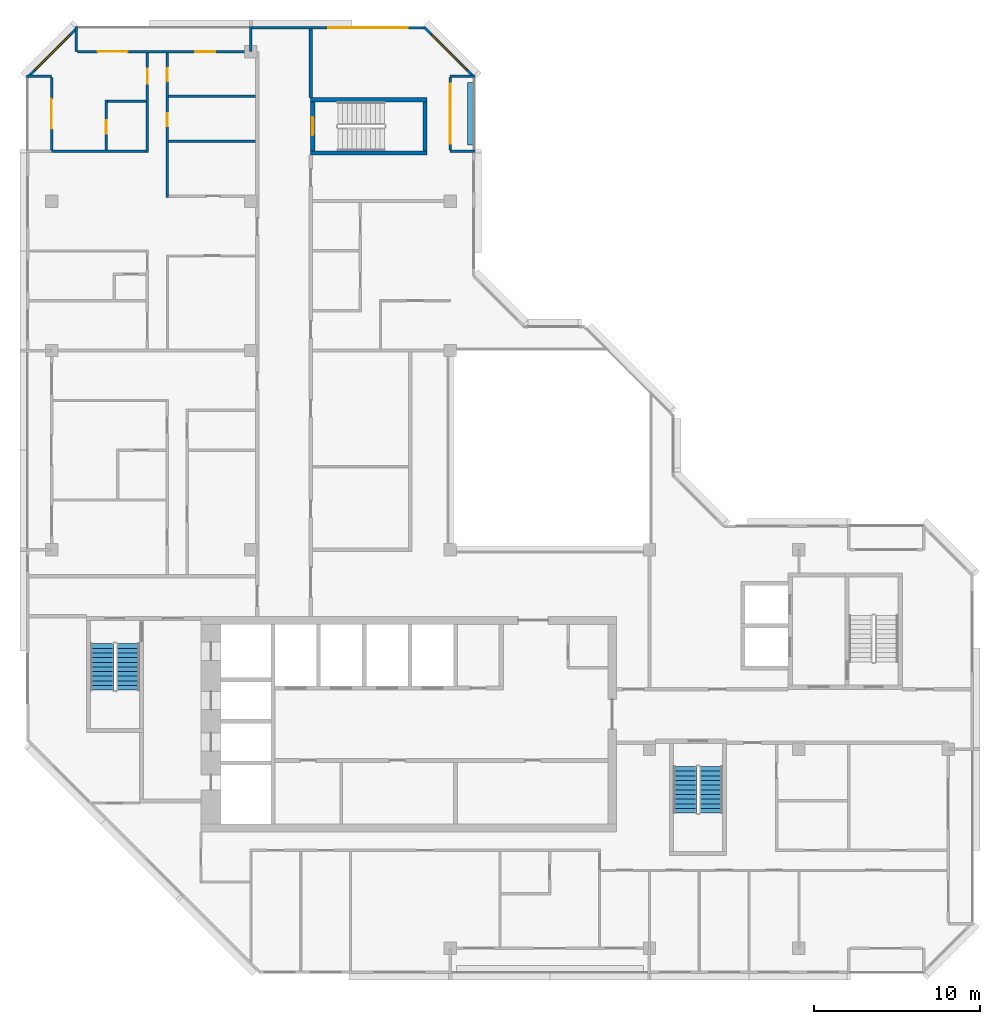
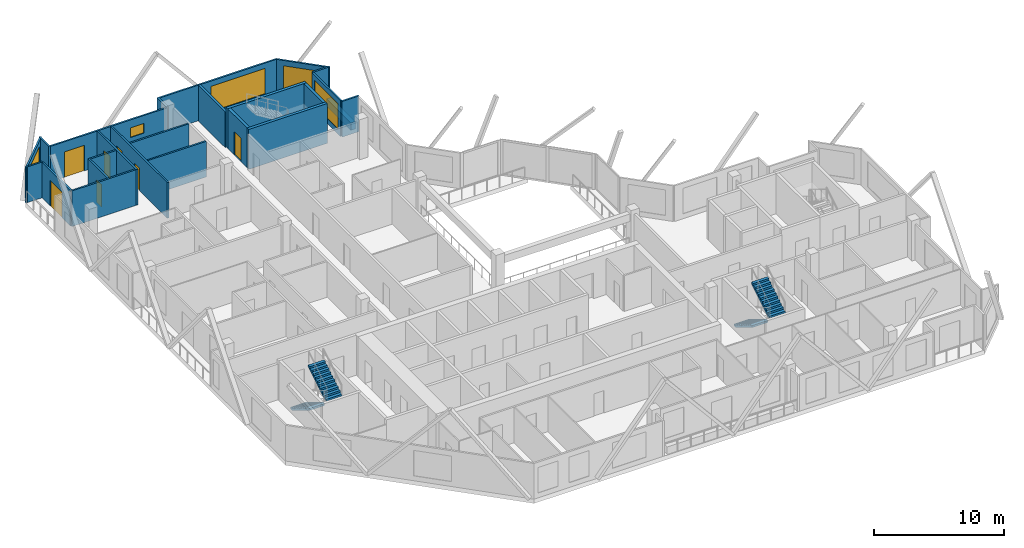
# One storey, part 9 of 12: 24 walls, 7 doors, 5 windows, 4 stair flights, 12 openings, 2 elements without a shape of their own.
"""IFC4 building model written with IfcOpenShell, lengths in metres."""

import ifcopenshell
import ifcopenshell.guid

model = None  # the IFC model being written
_history = None  # IfcOwnerHistory: only IFC2X3 demands one
_inside = {}  # id of a spatial element -> (the spatial element, [elements in it])
_under = {}  # id of a project, library or spatial element -> (it, [spatial elements below it])
_declared = {}  # id of a project -> (the project, [libraries it declares])
_typed = {}  # id of a type object -> (the type object, [elements of that type])
_made_of = {}  # id of a material, layer set ... -> (it, [elements and type objects made of it])


def new_model(schema):
    """Start an empty IFC model of exactly this schema.

    Asked for "IFC4X3", IfcOpenShell would pick the latest addendum, in which some entities
    have other attributes; the version numbers below select the first issue.
    IFC2X3 requires an IfcOwnerHistory on every rooted entity: one is made here for all.
    """
    global model, _history
    if schema == "IFC4X3":
        model = ifcopenshell.file(schema_version=(4, 3, 0, 0))
    else:
        model = ifcopenshell.file(schema=schema)
    _inside.clear()
    _under.clear()
    _declared.clear()
    _typed.clear()
    _made_of.clear()
    _history = None
    if model.schema == "IFC2X3":
        org = make("IfcOrganization", Name="unknown")
        user = make(
            "IfcPersonAndOrganization",
            ThePerson=make("IfcPerson", FamilyName="unknown"),
            TheOrganization=org,
        )
        app = make(
            "IfcApplication",
            ApplicationDeveloper=org,
            Version="unknown",
            ApplicationFullName="unknown",
            ApplicationIdentifier="unknown",
        )
        _history = make(
            "IfcOwnerHistory",
            OwningUser=user,
            OwningApplication=app,
            ChangeAction="ADDED",
            CreationDate=0,
        )
    return model


def make(cls, **values):
    """One entity of the class cls with the attributes given. An attribute that is None is left unset."""
    return model.create_entity(
        cls, **{name: value for name, value in values.items() if value is not None}
    )


def rooted(cls, **values):
    """An entity with a GlobalId (a new one), such as an element, a storey or a relation."""
    return make(cls, GlobalId=ifcopenshell.guid.new(), OwnerHistory=_history, **values)


def si_unit(unit_type, name, prefix=None):
    """IfcSIUnit, for example si_unit("LENGTHUNIT", "METRE", prefix="MILLI")."""
    return make("IfcSIUnit", UnitType=unit_type, Prefix=prefix, Name=name)


def assignment(units):
    """IfcUnitAssignment: the units of a project."""
    return None if units is None else make("IfcUnitAssignment", Units=units)


def point(xyz):
    """IfcCartesianPoint."""
    return None if xyz is None else make("IfcCartesianPoint", Coordinates=xyz)


def direction(xyz):
    """IfcDirection."""
    return None if xyz is None else make("IfcDirection", DirectionRatios=xyz)


def frame(location, z_axis=None, x_axis=None):
    """IfcAxis2Placement3D, a coordinate frame: its origin and axes. An axis left out is left unset."""
    return make(
        "IfcAxis2Placement3D",
        Location=point(location),
        Axis=direction(z_axis),
        RefDirection=direction(x_axis),
    )


def frame_2d(location, x_axis=None):
    """IfcAxis2Placement2D, a coordinate frame in the plane: its origin and x axis."""
    return make(
        "IfcAxis2Placement2D", Location=point(location), RefDirection=direction(x_axis)
    )


def origin():
    """The frame at (0, 0, 0) with its axes left unset."""
    return frame((0.0, 0.0, 0.0))


def place(relative_to, where):
    """IfcLocalPlacement: puts the frame where relative to a parent placement (None: the world)."""
    return make(
        "IfcLocalPlacement", PlacementRelTo=relative_to, RelativePlacement=where
    )


def context(
    kind, dimensions, precision=None, world=None, true_north=None, identifier=None
):
    """IfcGeometricRepresentationContext, for example the 3D "Model" context."""
    return make(
        "IfcGeometricRepresentationContext",
        ContextIdentifier=identifier,
        ContextType=kind,
        CoordinateSpaceDimension=dimensions,
        Precision=precision,
        WorldCoordinateSystem=world,
        TrueNorth=true_north,
    )


def subcontext(parent, identifier, kind, view, scale=None):
    """IfcGeometricRepresentationSubContext, for example "Body" below "Model"."""
    return make(
        "IfcGeometricRepresentationSubContext",
        ContextIdentifier=identifier,
        ContextType=kind,
        ParentContext=parent,
        TargetScale=scale,
        TargetView=view,
    )


def project(units=None, contexts=None):
    """IfcProject with its units and contexts."""
    return rooted(
        "IfcProject",
        Name="project",
        RepresentationContexts=contexts,
        UnitsInContext=assignment(units),
    )


def spatial(cls, under=None, at=None, **own):
    """A site, building, storey or space (cls), placed at a placement, below another one or the project."""
    s = rooted(cls, ObjectPlacement=at, **own)
    if under is not None:
        _under.setdefault(under.id(), (under, []))[1].append(s)
    return s


def polyline(points):
    """IfcPolyline through the points."""
    return make("IfcPolyline", Points=[point(p) for p in points])


def profile(cls, at=None, kind="AREA", **sizes):
    """A parametric profile (cls). Its sizes go by their IFC names, for example OverallWidth=200.0."""
    return make(cls, ProfileType=kind, Position=at, **sizes)


def rectangle(**sizes):
    """IfcRectangleProfileDef."""
    return profile("IfcRectangleProfileDef", **sizes)


def outline(outer, holes=None, kind="AREA"):
    """IfcArbitraryClosedProfileDef: a profile drawn as a closed curve; with holes, ...WithVoids."""
    if holes is None:
        return make("IfcArbitraryClosedProfileDef", ProfileType=kind, OuterCurve=outer)
    return make(
        "IfcArbitraryProfileDefWithVoids",
        ProfileType=kind,
        OuterCurve=outer,
        InnerCurves=holes,
    )


def extrude(swept, where, along, depth):
    """IfcExtrudedAreaSolid: the profile swept, set in the frame where, extruded along a direction by depth."""
    return make(
        "IfcExtrudedAreaSolid",
        SweptArea=swept,
        Position=where,
        ExtrudedDirection=direction(along),
        Depth=depth,
    )


def shape(context_of_items, identifier, shape_type, items):
    """IfcShapeRepresentation: the items that make up one representation, for example the "Body"."""
    return make(
        "IfcShapeRepresentation",
        ContextOfItems=context_of_items,
        RepresentationIdentifier=identifier,
        RepresentationType=shape_type,
        Items=items,
    )


def material(Name=None, Category=None):
    """IfcMaterial."""
    return make("IfcMaterial", Name=Name, Category=Category)


def layer(
    of_material, thickness, ventilated=None, Name=None, Category=None, Priority=None
):
    """IfcMaterialLayer: one layer of a wall or slab, of a material (None: an air gap)."""
    return make(
        "IfcMaterialLayer",
        Material=of_material,
        LayerThickness=thickness,
        IsVentilated=ventilated,
        Name=Name,
        Category=Category,
        Priority=Priority,
    )


def layer_set(layers, Name=None):
    """IfcMaterialLayerSet."""
    return make("IfcMaterialLayerSet", MaterialLayers=layers, LayerSetName=Name)


def made_of(thing, what):
    """Note that an element or type object is made of a material, layer set ...; save() writes the relation."""
    if what is not None:
        _made_of.setdefault(what.id(), (what, []))[1].append(thing)
    return thing


def type_object(cls, material=None, **own):
    """A type object (cls), such as IfcWallType, which elements share."""
    return made_of(rooted(cls, **own), material)


def element(
    cls,
    number,
    at=None,
    inside=None,
    cuts=None,
    type_object=None,
    material=None,
    context=None,
    identifier="Body",
    shape_type=None,
    held_by="IfcProductDefinitionShape",
    body=None,
    shapes=None,
    **own,
):
    """One element of the class cls, such as IfcWall. Its Tag is "e" and its number.

    at: its placement. inside: the storey or other place that contains it. cuts: it is an
    opening in that element (IfcRelVoidsElement). A single representation is given by context,
    identifier, shape_type and body (its items); several are given by shapes. held_by: the class
    of the entity that holds the representations. save() writes the other relations.
    """
    e = rooted(cls, Tag="e%d" % number, ObjectPlacement=at, **own)
    if body is not None:
        shapes = [shape(context, identifier, shape_type, body)]
    if shapes is not None:
        e.Representation = make(held_by, Representations=shapes)
    if inside is not None:
        _inside.setdefault(inside.id(), (inside, []))[1].append(e)
    if cuts is not None:
        rooted(
            "IfcRelVoidsElement", RelatingBuildingElement=cuts, RelatedOpeningElement=e
        )
    if type_object is not None:
        _typed.setdefault(type_object.id(), (type_object, []))[1].append(e)
    return made_of(e, material)


def fill(opening, filler):
    """IfcRelFillsElement: the door or window that sits in an opening."""
    return rooted(
        "IfcRelFillsElement",
        RelatingOpeningElement=opening,
        RelatedBuildingElement=filler,
    )


def aggregate(whole, parts):
    """IfcRelAggregates: a whole, such as a stair, and the parts it consists of."""
    return rooted("IfcRelAggregates", RelatingObject=whole, RelatedObjects=parts)


def save(model, path):
    """Write the relations noted so far, then the file.

    IfcRelAggregates (storeys below a building ...), IfcRelContainedInSpatialStructure (elements
    in a storey), IfcRelDefinesByType, IfcRelAssociatesMaterial and IfcRelDeclares: one each for
    every whole, place, type object, material and project.
    """
    for whole, parts in _under.values():
        aggregate(whole, parts)
    for where, things in _inside.values():
        rooted(
            "IfcRelContainedInSpatialStructure",
            RelatedElements=things,
            RelatingStructure=where,
        )
    for kind, things in _typed.values():
        rooted("IfcRelDefinesByType", RelatedObjects=things, RelatingType=kind)
    for what, things in _made_of.values():
        rooted("IfcRelAssociatesMaterial", RelatedObjects=things, RelatingMaterial=what)
    for by, libraries in _declared.values():
        rooted("IfcRelDeclares", RelatingContext=by, RelatedDefinitions=libraries)
    model.write(path)


model = new_model("IFC4")

# Units and contexts
model_context = context("Model", 3, precision=1e-05, world=origin(), true_north=direction((0.0, 1.0)))
body_context = subcontext(model_context, "Body", "Model", "MODEL_VIEW")
ifc_project = project(units=[si_unit("LENGTHUNIT", "METRE"), si_unit("AREAUNIT", "SQUARE_METRE"), si_unit("VOLUMEUNIT", "CUBIC_METRE"), si_unit("PLANEANGLEUNIT", "RADIAN"), si_unit("MASSUNIT", "GRAM", prefix="KILO")], contexts=[model_context])

# Site, building, storey
site_placement = place(None, origin())
site = spatial("IfcSite", under=ifc_project, at=site_placement, CompositionType="ELEMENT")
building_placement = place(site_placement, origin())
building = spatial("IfcBuilding", under=site, at=building_placement, Name="Chenar Terraces", CompositionType="ELEMENT")
storey_placement = place(building_placement, frame((0.0, 0.0, 353.89990234375)))
storey = spatial("IfcBuildingStorey", under=building, at=storey_placement, Name="L82", CompositionType="ELEMENT", Elevation=353.89990234375)

# Walls
ifc_material_1 = material(Name="Concrete C50/60", Category="concrete")
ifc_layer_1 = layer(ifc_material_1, 0.25)
ifc_layer_set_1 = layer_set([ifc_layer_1], Name="Concrete C50/60")
wall_type_1 = type_object("IfcWallType", Name="Core wall 250 Concrete C50/60", PredefinedType="SHEAR", material=ifc_layer_set_1)
for number, where, z_axis, x_axis, name in (
    (1, (15.60009765625, 47.89990234375, 0.0), (0.0, 0.0, 1.0), (1.0, 0.0, 0.0), "Core wall ST4_S L82"),
    (2, (15.60009765625, 51.10009765625, 0.0), (0.0, 0.0, 1.0), (1.0, 0.0, 0.0), "Core wall ST4_N L82"),
):
    element("IfcWall", number, at=place(storey_placement, frame(where, z_axis=z_axis, x_axis=x_axis)), inside=storey, type_object=wall_type_1, Name=name, PredefinedType="SHEAR", context=body_context, shape_type="SweptSolid", body=[
        extrude(rectangle(XDim=7.0, YDim=0.25, at=frame_2d((3.5, 0.0))), origin(), (0.0, 0.0, 1.0), 3.75),
    ])

# Wall, opening, door
wall_1_placement = place(storey_placement, frame((15.72509765625, 48.02490234375, 0.0), z_axis=(0.0, 0.0, 1.0), x_axis=(0.0, 1.0, 0.0)))
wall_1 = element("IfcWall", 3, at=wall_1_placement, inside=storey, type_object=wall_type_1, Name="Core wall ST4_W L82", PredefinedType="SHEAR", context=body_context, shape_type="SweptSolid", body=[
    extrude(rectangle(XDim=2.9501953125, YDim=0.25, at=frame_2d((1.47509765625, 0.0))), origin(), (0.0, 0.0, 1.0), 3.75),
])
opening_1_placement = place(wall_1_placement, frame((0.925048828125, 0.0, 0.0)))
opening_1 = element("IfcOpeningElement", 4, at=opening_1_placement, cuts=wall_1, Name="Opening DL82-C9", PredefinedType="OPENING", context=body_context, shape_type="SweptSolid", body=[
    extrude(rectangle(XDim=1.10009765625, YDim=2.199951171875, at=frame_2d((0.550048828125, 1.10009765625))), frame((0.0, 0.135009765625, 0.0), z_axis=(0.0, -1.0, 0.0), x_axis=(1.0, 0.0, 0.0)), (0.0, 0.0, 1.0), 0.27001953125),
])
ifc_material_2 = material(Name="Steel-framed fire-resisting door leaf", Category="steel")
door_type_1 = type_object("IfcDoorType", Name="Stair fire door FD60 1100 x 2200", OperationType="SINGLE_SWING_LEFT", PredefinedType="DOOR", material=ifc_material_2)
door_1_placement = place(opening_1_placement, frame((1.10009765625, 0.0, 0.0), z_axis=(0.0, 0.0, 1.0), x_axis=(-1.0, 0.0, 0.0)))
door_1 = element("IfcDoor", 5, at=door_1_placement, inside=storey, type_object=door_type_1, Name="Stair door DL82-C9", OperationType="SINGLE_SWING_RIGHT", OverallHeight=2.199951171875, OverallWidth=1.10009765625, PredefinedType="DOOR", context=body_context, shape_type="SweptSolid", body=[
    extrude(rectangle(XDim=1.10009765625, YDim=2.199951171875, at=frame_2d((0.550048828125, 1.10009765625))), frame((0.0, 0.02490234375, 0.0), z_axis=(0.0, -1.0, 0.0), x_axis=(1.0, 0.0, 0.0)), (0.0, 0.0, 1.0), 0.050048828125),
])
fill(opening_1, door_1)

# Walls
wall_2_placement = place(storey_placement, frame((22.47509765625, 48.02490234375, 0.0), z_axis=(0.0, 0.0, 1.0), x_axis=(0.0, 1.0, 0.0)))
element("IfcWall", 6, at=wall_2_placement, inside=storey, type_object=wall_type_1, Name="Core wall ST4_E L82", PredefinedType="SHEAR", context=body_context, shape_type="SweptSolid", body=[
    extrude(rectangle(XDim=2.9501953125, YDim=0.25, at=frame_2d((1.47509765625, 0.0))), origin(), (0.0, 0.0, 1.0), 3.75),
])
ifc_material_3 = material(Name="Gypsum board on steel studs with fire boards", Category="steel")
ifc_layer_2 = layer(ifc_material_3, 0.199951171875)
ifc_layer_set_2 = layer_set([ifc_layer_2], Name="Gypsum board on steel studs with fire boards")
wall_type_2 = type_object("IfcWallType", Name="Corridor wall 200", PredefinedType="PARTITIONING", material=ifc_layer_set_2)
wall_3_placement = place(storey_placement, frame((15.60009765625, 51.22509765625, 0.0), z_axis=(0.0, 0.0, 1.0), x_axis=(0.0, 1.0, 0.0)))
element("IfcWall", 7, at=wall_3_placement, inside=storey, type_object=wall_type_2, Name="Partition L82-035", PredefinedType="PARTITIONING", context=body_context, shape_type="SweptSolid", body=[
    extrude(rectangle(XDim=4.125, YDim=0.199951171875, at=frame_2d((2.0625, 0.0))), origin(), (0.0, 0.0, 1.0), 3.35009765625),
])

# Wall, opening, window
ifc_material_4 = material(Name="Aluminium framed glazing", Category="aluminium")
ifc_layer_3 = layer(ifc_material_4, 0.14990234375)
ifc_layer_set_3 = layer_set([ifc_layer_3], Name="Aluminium framed glazing")
wall_type_3 = type_object("IfcWallType", Name="Glazed flush facade wall 150", PredefinedType="SOLIDWALL", material=ifc_layer_set_3)
wall_4_placement = place(storey_placement, frame((22.5, 55.425048828125, 0.0), z_axis=(0.0, 0.0, 1.0), x_axis=(-1.0, 0.0, 0.0)))
wall_4 = element("IfcWall", 8, at=wall_4_placement, inside=storey, type_object=wall_type_3, Name="Glazed flush facade wall", PredefinedType="SOLIDWALL", context=body_context, shape_type="SweptSolid", body=[
    extrude(rectangle(XDim=10.425048828125, YDim=0.14990234375, at=frame_2d((5.21240234375, 0.0))), origin(), (0.0, 0.0, 1.0), 3.35009765625),
])
opening_2_placement = place(wall_4_placement, frame((1.050048828125, 0.0, 0.449951171875)))
opening_2 = element("IfcOpeningElement", 9, at=opening_2_placement, cuts=wall_4, Name="Opening W480x240", PredefinedType="OPENING", context=body_context, shape_type="SweptSolid", body=[
    extrude(rectangle(XDim=4.800048828125, YDim=2.39990234375, at=frame_2d((2.39990234375, 1.199951171875))), frame((0.0, 0.0849609375, 0.0), z_axis=(0.0, -1.0, 0.0), x_axis=(1.0, 0.0, 0.0)), (0.0, 0.0, 1.0), 0.169921875),
])
ifc_material_5 = material(Name="Low emissivity double glazing, aluminium frame", Category="aluminium")
window_type_1 = type_object("IfcWindowType", Name="Fixed light 4800 x 2400", PartitioningType="SINGLE_PANEL", PredefinedType="WINDOW", material=ifc_material_5)
window_1_placement = place(opening_2_placement, origin())
window_1 = element("IfcWindow", 10, at=window_1_placement, inside=storey, type_object=window_type_1, Name="Window", OverallHeight=2.39990234375, OverallWidth=4.800048828125, PartitioningType="SINGLE_PANEL", PredefinedType="WINDOW", context=body_context, shape_type="SweptSolid", body=[
    extrude(rectangle(XDim=4.800048828125, YDim=2.39990234375, at=frame_2d((2.39990234375, 1.199951171875))), frame((0.0, 0.030029296875, 0.0), z_axis=(0.0, -1.0, 0.0), x_axis=(1.0, 0.0, 0.0)), (0.0, 0.0, 1.0), 0.06005859375),
])
fill(opening_2, window_1)

ifc_material_6 = material(Name="Aluminium framed glazing", Category="aluminium")
ifc_layer_4 = layer(ifc_material_6, 0.14990234375)
ifc_layer_set_4 = layer_set([ifc_layer_4], Name="Aluminium framed glazing")
wall_type_4 = type_object("IfcWallType", Name="Glazed loggia back wall 150", PredefinedType="SOLIDWALL", material=ifc_layer_set_4)
wall_5_placement = place(storey_placement, frame((24.0, 48.074951171875, 0.0), z_axis=(0.0, 0.0, 1.0), x_axis=(0.0, 1.0, 0.0)))
wall_5 = element("IfcWall", 11, at=wall_5_placement, inside=storey, type_object=wall_type_4, Name="Glazed loggia back wall", PredefinedType="SOLIDWALL", context=body_context, shape_type="SweptSolid", body=[
    extrude(rectangle(XDim=4.35009765625, YDim=0.14990234375, at=frame_2d((2.175048828125, 0.0))), origin(), (0.0, 0.0, 1.0), 3.35009765625),
])
opening_3_placement = place(wall_5_placement, frame((0.375, 0.0, 0.449951171875)))
opening_3 = element("IfcOpeningElement", 12, at=opening_3_placement, cuts=wall_5, Name="Opening W360x240", PredefinedType="OPENING", context=body_context, shape_type="SweptSolid", body=[
    extrude(rectangle(XDim=3.60009765625, YDim=2.39990234375, at=frame_2d((1.800048828125, 1.199951171875))), frame((0.0, 0.0849609375, 0.0), z_axis=(0.0, -1.0, 0.0), x_axis=(1.0, 0.0, 0.0)), (0.0, 0.0, 1.0), 0.169921875),
])
ifc_material_7 = material(Name="Low emissivity double glazing, aluminium frame", Category="aluminium")
window_type_2 = type_object("IfcWindowType", Name="Fixed light 3600 x 2400", PartitioningType="SINGLE_PANEL", PredefinedType="WINDOW", material=ifc_material_7)
window_2_placement = place(opening_3_placement, origin())
window_2 = element("IfcWindow", 13, at=window_2_placement, inside=storey, type_object=window_type_2, Name="Window", OverallHeight=2.39990234375, OverallWidth=3.60009765625, PartitioningType="SINGLE_PANEL", PredefinedType="WINDOW", context=body_context, shape_type="SweptSolid", body=[
    extrude(rectangle(XDim=3.60009765625, YDim=2.39990234375, at=frame_2d((1.800048828125, 1.199951171875))), frame((0.0, 0.030029296875, 0.0), z_axis=(0.0, -1.0, 0.0), x_axis=(1.0, 0.0, 0.0)), (0.0, 0.0, 1.0), 0.06005859375),
])
fill(opening_3, window_2)

# Wall, openings, window, door
wall_6_placement = place(storey_placement, frame((11.925048828125, 54.0, 0.0), z_axis=(0.0, 0.0, 1.0), x_axis=(-1.0, 0.0, 0.0)))
wall_6 = element("IfcWall", 14, at=wall_6_placement, inside=storey, type_object=wall_type_4, Name="Glazed loggia back wall", PredefinedType="SOLIDWALL", context=body_context, shape_type="SweptSolid", body=[
    extrude(rectangle(XDim=10.35009765625, YDim=0.14990234375, at=frame_2d((5.175048828125, 0.0))), origin(), (0.0, 0.0, 1.0), 3.35009765625),
])
opening_4_placement = place(wall_6_placement, frame((2.074951171875, 0.0, 1.699951171875)))
opening_4 = element("IfcOpeningElement", 15, at=opening_4_placement, cuts=wall_6, Name="Opening W120x90", PredefinedType="OPENING", context=body_context, shape_type="SweptSolid", body=[
    extrude(rectangle(XDim=1.199951171875, YDim=0.89990234375, at=frame_2d((0.60009765625, 0.449951171875))), frame((0.0, 0.0849609375, 0.0), z_axis=(0.0, -1.0, 0.0), x_axis=(1.0, 0.0, 0.0)), (0.0, 0.0, 1.0), 0.169921875),
])
opening_5_placement = place(wall_6_placement, frame((7.35009765625, 0.0, 0.0)))
opening_5 = element("IfcOpeningElement", 16, at=opening_5_placement, cuts=wall_6, Name="Opening DL82-G1", PredefinedType="OPENING", context=body_context, shape_type="SweptSolid", body=[
    extrude(rectangle(XDim=1.800048828125, YDim=2.39990234375, at=frame_2d((0.89990234375, 1.199951171875))), frame((0.0, 0.0849609375, 0.0), z_axis=(0.0, -1.0, 0.0), x_axis=(1.0, 0.0, 0.0)), (0.0, 0.0, 1.0), 0.169921875),
])
ifc_material_8 = material(Name="Low emissivity double glazing, aluminium frame", Category="aluminium")
window_type_3 = type_object("IfcWindowType", Name="Fixed light 1200 x 900", PartitioningType="SINGLE_PANEL", PredefinedType="WINDOW", material=ifc_material_8)
window_3_placement = place(opening_4_placement, origin())
window_3 = element("IfcWindow", 17, at=window_3_placement, inside=storey, type_object=window_type_3, Name="Window", OverallHeight=0.89990234375, OverallWidth=1.199951171875, PartitioningType="SINGLE_PANEL", PredefinedType="WINDOW", context=body_context, shape_type="SweptSolid", body=[
    extrude(rectangle(XDim=1.199951171875, YDim=0.89990234375, at=frame_2d((0.60009765625, 0.449951171875))), frame((0.0, 0.030029296875, 0.0), z_axis=(0.0, -1.0, 0.0), x_axis=(1.0, 0.0, 0.0)), (0.0, 0.0, 1.0), 0.06005859375),
])
fill(opening_4, window_3)
ifc_material_9 = material(Name="Low emissivity double glazing, aluminium frame", Category="aluminium")
door_type_2 = type_object("IfcDoorType", Name="Loggia glazed double door 1800 x 2400", OperationType="DOUBLE_DOOR_SINGLE_SWING", PredefinedType="DOOR", material=ifc_material_9)
door_2_placement = place(opening_5_placement, frame((1.800048828125, 0.0, 0.0), z_axis=(0.0, 0.0, 1.0), x_axis=(-1.0, 0.0, 0.0)))
door_2 = element("IfcDoor", 18, at=door_2_placement, inside=storey, type_object=door_type_2, Name="Loggia glazed door", OperationType="DOUBLE_DOOR_SINGLE_SWING", OverallHeight=2.39990234375, OverallWidth=1.800048828125, PredefinedType="DOOR", context=body_context, shape_type="SweptSolid", body=[
    extrude(rectangle(XDim=1.800048828125, YDim=2.39990234375, at=frame_2d((0.89990234375, 1.199951171875))), frame((0.0, 0.02490234375, 0.0), z_axis=(0.0, -1.0, 0.0), x_axis=(1.0, 0.0, 0.0)), (0.0, 0.0, 1.0), 0.050048828125),
])
fill(opening_5, door_2)

# Wall, opening, door
wall_7_placement = place(storey_placement, frame((0.0, 52.425048828125, 0.0), z_axis=(0.0, 0.0, 1.0), x_axis=(0.0, -1.0, 0.0)))
wall_7 = element("IfcWall", 19, at=wall_7_placement, inside=storey, type_object=wall_type_4, Name="Glazed loggia back wall", PredefinedType="SOLIDWALL", context=body_context, shape_type="SweptSolid", body=[
    extrude(rectangle(XDim=4.35009765625, YDim=0.14990234375, at=frame_2d((2.175048828125, 0.0))), origin(), (0.0, 0.0, 1.0), 3.35009765625),
])
opening_6_placement = place(wall_7_placement, frame((1.27490234375, 0.0, 0.0)))
opening_6 = element("IfcOpeningElement", 20, at=opening_6_placement, cuts=wall_7, Name="Opening DL82-G2", PredefinedType="OPENING", context=body_context, shape_type="SweptSolid", body=[
    extrude(rectangle(XDim=1.800048828125, YDim=2.39990234375, at=frame_2d((0.89990234375, 1.199951171875))), frame((0.0, 0.0849609375, 0.0), z_axis=(0.0, -1.0, 0.0), x_axis=(1.0, 0.0, 0.0)), (0.0, 0.0, 1.0), 0.169921875),
])
door_3_placement = place(opening_6_placement, frame((1.800048828125, 0.0, 0.0), z_axis=(0.0, 0.0, 1.0), x_axis=(-1.0, 0.0, 0.0)))
door_3 = element("IfcDoor", 21, at=door_3_placement, inside=storey, type_object=door_type_2, Name="Loggia glazed door", OperationType="DOUBLE_DOOR_SINGLE_SWING", OverallHeight=2.39990234375, OverallWidth=1.800048828125, PredefinedType="DOOR", context=body_context, shape_type="SweptSolid", body=[
    extrude(rectangle(XDim=1.800048828125, YDim=2.39990234375, at=frame_2d((0.89990234375, 1.199951171875))), frame((0.0, 0.02490234375, 0.0), z_axis=(0.0, -1.0, 0.0), x_axis=(1.0, 0.0, 0.0)), (0.0, 0.0, 1.0), 0.050048828125),
])
fill(opening_6, door_3)

# Walls
ifc_material_10 = material(Name="Terracotta cladding on insulated backing", Category="masonry")
ifc_layer_5 = layer(ifc_material_10, 0.14990234375)
ifc_layer_set_5 = layer_set([ifc_layer_5], Name="Terracotta cladding on insulated backing")
wall_type_5 = type_object("IfcWallType", Name="Loggia return wall 150", PredefinedType="SOLIDWALL", material=ifc_layer_set_5)
for number, where, z_axis, x_axis, name in (
    (22, (25.5, 48.0, 0.0), (0.0, 0.0, 1.0), (-1.0, 0.0, 0.0), "Loggia return wall"),
    (23, (25.5, 52.5, 0.0), (0.0, 0.0, 1.0), (-1.0, 0.0, 0.0), "Loggia return wall"),
    (24, (12.0, 55.5, 0.0), (0.0, 0.0, 1.0), (0.0, -1.0, 0.0), "Loggia return wall"),
    (25, (1.5, 55.5, 0.0), (0.0, 0.0, 1.0), (0.0, -1.0, 0.0), "Loggia return wall"),
    (26, (-1.5, 52.5, 0.0), (0.0, 0.0, 1.0), (1.0, 0.0, 0.0), "Loggia return wall"),
):
    element("IfcWall", number, at=place(storey_placement, frame(where, z_axis=z_axis, x_axis=x_axis)), inside=storey, type_object=wall_type_5, Name=name, PredefinedType="SOLIDWALL", context=body_context, shape_type="SweptSolid", body=[
        extrude(rectangle(XDim=1.5, YDim=0.14990234375, at=frame_2d((0.75, 0.0))), origin(), (0.0, 0.0, 1.0), 3.35009765625),
    ])

# Wall, opening, window
ifc_material_11 = material(Name="Terracotta cladding on insulated backing", Category="masonry")
ifc_layer_6 = layer(ifc_material_11, 0.14990234375)
ifc_layer_set_6 = layer_set([ifc_layer_6], Name="Terracotta cladding on insulated backing")
wall_type_6 = type_object("IfcWallType", Name="Terracotta rainscreen wall 150", PredefinedType="SOLIDWALL", material=ifc_layer_set_6)
wall_8_placement = place(storey_placement, frame((25.447021484375, 52.447021484375, 0.0), z_axis=(0.0, 0.0, 1.0), x_axis=(-0.707106781187, 0.707106781187, 0.0)))
wall_8 = element("IfcWall", 27, at=wall_8_placement, inside=storey, type_object=wall_type_6, Name="Terracotta rainscreen wall", PredefinedType="SOLIDWALL", context=body_context, shape_type="SweptSolid", body=[
    extrude(rectangle(XDim=4.24267578125, YDim=0.14990234375, at=frame_2d((2.121337890625, 0.0))), origin(), (0.0, 0.0, 1.0), 3.35009765625),
])
opening_7_placement = place(wall_8_placement, frame((0.621337890625, 0.0, 0.449951171875)))
opening_7 = element("IfcOpeningElement", 28, at=opening_7_placement, cuts=wall_8, Name="Opening W300x240", PredefinedType="OPENING", context=body_context, shape_type="SweptSolid", body=[
    extrude(rectangle(XDim=3.0, YDim=2.39990234375, at=frame_2d((1.5, 1.199951171875))), frame((0.0, 0.0849609375, 0.0), z_axis=(0.0, -1.0, 0.0), x_axis=(1.0, 0.0, 0.0)), (0.0, 0.0, 1.0), 0.169921875),
])
ifc_material_12 = material(Name="Low emissivity double glazing, aluminium frame", Category="aluminium")
window_type_4 = type_object("IfcWindowType", Name="Fixed light 3000 x 2400", PartitioningType="SINGLE_PANEL", PredefinedType="WINDOW", material=ifc_material_12)
window_4_placement = place(opening_7_placement, origin())
window_4 = element("IfcWindow", 29, at=window_4_placement, inside=storey, type_object=window_type_4, Name="Window", OverallHeight=2.39990234375, OverallWidth=3.0, PartitioningType="SINGLE_PANEL", PredefinedType="WINDOW", context=body_context, shape_type="SweptSolid", body=[
    extrude(rectangle(XDim=3.0, YDim=2.39990234375, at=frame_2d((1.5, 1.199951171875))), frame((0.0, 0.030029296875, 0.0), z_axis=(0.0, -1.0, 0.0), x_axis=(1.0, 0.0, 0.0)), (0.0, 0.0, 1.0), 0.06005859375),
])
fill(opening_7, window_4)

wall_9_placement = place(storey_placement, frame((1.552978515625, 55.447021484375, 0.0), z_axis=(0.0, 0.0, 1.0), x_axis=(-0.707106781187, -0.707106781187, 0.0)))
wall_9 = element("IfcWall", 30, at=wall_9_placement, inside=storey, type_object=wall_type_6, Name="Terracotta rainscreen wall", PredefinedType="SOLIDWALL", context=body_context, shape_type="SweptSolid", body=[
    extrude(rectangle(XDim=4.24267578125, YDim=0.14990234375, at=frame_2d((2.121337890625, 0.0))), origin(), (0.0, 0.0, 1.0), 3.35009765625),
])
opening_8_placement = place(wall_9_placement, frame((0.621337890625, 0.0, 0.449951171875)))
opening_8 = element("IfcOpeningElement", 31, at=opening_8_placement, cuts=wall_9, Name="Opening W300x240", PredefinedType="OPENING", context=body_context, shape_type="SweptSolid", body=[
    extrude(rectangle(XDim=3.0, YDim=2.39990234375, at=frame_2d((1.5, 1.199951171875))), frame((0.0, 0.0849609375, 0.0), z_axis=(0.0, -1.0, 0.0), x_axis=(1.0, 0.0, 0.0)), (0.0, 0.0, 1.0), 0.169921875),
])
window_5_placement = place(opening_8_placement, origin())
window_5 = element("IfcWindow", 32, at=window_5_placement, inside=storey, type_object=window_type_4, Name="Window", OverallHeight=2.39990234375, OverallWidth=3.0, PartitioningType="SINGLE_PANEL", PredefinedType="WINDOW", context=body_context, shape_type="SweptSolid", body=[
    extrude(rectangle(XDim=3.0, YDim=2.39990234375, at=frame_2d((1.5, 1.199951171875))), frame((0.0, 0.030029296875, 0.0), z_axis=(0.0, -1.0, 0.0), x_axis=(1.0, 0.0, 0.0)), (0.0, 0.0, 1.0), 0.06005859375),
])
fill(opening_8, window_5)

# Walls
ifc_material_13 = material(Name="GRP planter trough")
ifc_layer_7 = layer(ifc_material_13, 0.39990234375)
ifc_layer_set_7 = layer_set([ifc_layer_7], Name="GRP planter trough")
wall_type_7 = type_object("IfcWallType", Name="Vertical greenery planter 400", PredefinedType="SOLIDWALL", material=ifc_layer_set_7)
wall_10_placement = place(storey_placement, frame((25.22900390625, 48.375, 0.0), z_axis=(0.0, 0.0, 1.0), x_axis=(0.0, 1.0, 0.0)))
element("IfcWall", 33, at=wall_10_placement, inside=storey, type_object=wall_type_7, Name="Vertical greenery planter", PredefinedType="SOLIDWALL", context=body_context, shape_type="SweptSolid", body=[
    extrude(rectangle(XDim=3.75, YDim=0.39990234375, at=frame_2d((1.875, 0.0))), origin(), (0.0, 0.0, 1.0), 0.7001953125),
])
ifc_material_14 = material(Name="Moisture-resistant gypsum board on steel studs", Category="steel")
ifc_layer_8 = layer(ifc_material_14, 0.14990234375)
ifc_layer_set_8 = layer_set([ifc_layer_8], Name="Moisture-resistant gypsum board on steel studs")
wall_type_8 = type_object("IfcWallType", Name="Wet-room partition 150", PredefinedType="PARTITIONING", material=ifc_layer_set_8)
wall_11_placement = place(storey_placement, frame((0.0, 48.0, 0.0), z_axis=(0.0, 0.0, 1.0), x_axis=(1.0, 0.0, 0.0)))
element("IfcWall", 34, at=wall_11_placement, inside=storey, type_object=wall_type_8, Name="Partition L82-006", PredefinedType="PARTITIONING", context=body_context, shape_type="SweptSolid", body=[
    extrude(rectangle(XDim=5.699951171875, YDim=0.14990234375, at=frame_2d((2.85009765625, 0.0))), origin(), (0.0, 0.0, 1.0), 3.35009765625),
])

# Wall, opening, door
wall_12_placement = place(storey_placement, frame((3.300048828125, 48.074951171875, 0.0), z_axis=(0.0, 0.0, 1.0), x_axis=(0.0, 1.0, 0.0)))
wall_12 = element("IfcWall", 35, at=wall_12_placement, inside=storey, type_object=wall_type_8, Name="Partition L82-010", PredefinedType="PARTITIONING", context=body_context, shape_type="SweptSolid", body=[
    extrude(rectangle(XDim=3.0, YDim=0.14990234375, at=frame_2d((1.5, 0.0))), origin(), (0.0, 0.0, 1.0), 3.35009765625),
])
opening_9_placement = place(wall_12_placement, frame((0.97509765625, 0.0, 0.0)))
opening_9 = element("IfcOpeningElement", 36, at=opening_9_placement, cuts=wall_12, Name="Opening DL82-10", PredefinedType="OPENING", context=body_context, shape_type="SweptSolid", body=[
    extrude(rectangle(XDim=0.800048828125, YDim=2.10009765625, at=frame_2d((0.39990234375, 1.050048828125))), frame((0.0, 0.0849609375, 0.0), z_axis=(0.0, -1.0, 0.0), x_axis=(1.0, 0.0, 0.0)), (0.0, 0.0, 1.0), 0.169921875),
])
ifc_material_15 = material(Name="Veneered timber door leaf", Category="wood")
door_type_3 = type_object("IfcDoorType", Name="Door 800 x 2100", OperationType="SINGLE_SWING_LEFT", PredefinedType="DOOR", material=ifc_material_15)
door_4_placement = place(opening_9_placement, frame((0.800048828125, 0.0, 0.0), z_axis=(0.0, 0.0, 1.0), x_axis=(-1.0, 0.0, 0.0)))
door_4 = element("IfcDoor", 37, at=door_4_placement, inside=storey, type_object=door_type_3, Name="Door DL82-10", OperationType="SINGLE_SWING_RIGHT", OverallHeight=2.10009765625, OverallWidth=0.800048828125, PredefinedType="DOOR", context=body_context, shape_type="SweptSolid", body=[
    extrude(rectangle(XDim=0.800048828125, YDim=2.10009765625, at=frame_2d((0.39990234375, 1.050048828125))), frame((0.0, 0.02490234375, 0.0), z_axis=(0.0, -1.0, 0.0), x_axis=(1.0, 0.0, 0.0)), (0.0, 0.0, 1.0), 0.050048828125),
])
fill(opening_9, door_4)

# Wall
wall_13_placement = place(storey_placement, frame((3.375, 51.0, 0.0), z_axis=(0.0, 0.0, 1.0), x_axis=(1.0, 0.0, 0.0)))
element("IfcWall", 38, at=wall_13_placement, inside=storey, type_object=wall_type_8, Name="Partition L82-011", PredefinedType="PARTITIONING", context=body_context, shape_type="SweptSolid", body=[
    extrude(rectangle(XDim=2.324951171875, YDim=0.14990234375, at=frame_2d((1.16259765625, 0.0))), origin(), (0.0, 0.0, 1.0), 3.35009765625),
])

# Wall, opening, door
wall_14_placement = place(storey_placement, frame((5.77490234375, 47.925048828125, 0.0), z_axis=(0.0, 0.0, 1.0), x_axis=(0.0, 1.0, 0.0)))
wall_14 = element("IfcWall", 39, at=wall_14_placement, inside=storey, type_object=wall_type_8, Name="Partition L82-017", PredefinedType="PARTITIONING", context=body_context, shape_type="SweptSolid", body=[
    extrude(rectangle(XDim=6.0009765625, YDim=0.14990234375, at=frame_2d((3.00048828125, 0.0))), origin(), (0.0, 0.0, 1.0), 3.35009765625),
])
opening_10_placement = place(wall_14_placement, frame((4.125, 0.0, 0.0)))
opening_10 = element("IfcOpeningElement", 40, at=opening_10_placement, cuts=wall_14, Name="Opening DL82-9", PredefinedType="OPENING", context=body_context, shape_type="SweptSolid", body=[
    extrude(rectangle(XDim=0.89990234375, YDim=2.10009765625, at=frame_2d((0.449951171875, 1.050048828125))), frame((0.0, 0.0849609375, 0.0), z_axis=(0.0, -1.0, 0.0), x_axis=(1.0, 0.0, 0.0)), (0.0, 0.0, 1.0), 0.169921875),
])
ifc_material_16 = material(Name="Veneered timber door leaf", Category="wood")
door_type_4 = type_object("IfcDoorType", Name="Door 900 x 2100", OperationType="SINGLE_SWING_LEFT", PredefinedType="DOOR", material=ifc_material_16)
door_5_placement = place(opening_10_placement, origin())
door_5 = element("IfcDoor", 41, at=door_5_placement, inside=storey, type_object=door_type_4, Name="Door DL82-9", OperationType="SINGLE_SWING_LEFT", OverallHeight=2.10009765625, OverallWidth=0.89990234375, PredefinedType="DOOR", context=body_context, shape_type="SweptSolid", body=[
    extrude(rectangle(XDim=0.89990234375, YDim=2.10009765625, at=frame_2d((0.449951171875, 1.050048828125))), frame((0.0, 0.02490234375, 0.0), z_axis=(0.0, -1.0, 0.0), x_axis=(1.0, 0.0, 0.0)), (0.0, 0.0, 1.0), 0.050048828125),
])
fill(opening_10, door_5)

# Wall, openings, doors
wall_15_placement = place(storey_placement, frame((6.97509765625, 45.22509765625, 0.0), z_axis=(0.0, 0.0, 1.0), x_axis=(0.0, 1.0, 0.0)))
wall_15 = element("IfcWall", 42, at=wall_15_placement, inside=storey, type_object=wall_type_8, Name="Partition L82-020", PredefinedType="PARTITIONING", context=body_context, shape_type="SweptSolid", body=[
    extrude(rectangle(XDim=8.700927734375, YDim=0.14990234375, at=frame_2d((4.3505859375, 0.0))), origin(), (0.0, 0.0, 1.0), 3.35009765625),
])
opening_11_placement = place(wall_15_placement, frame((4.27490234375, 0.0, 0.0)))
opening_11 = element("IfcOpeningElement", 43, at=opening_11_placement, cuts=wall_15, Name="Opening DL82-8", PredefinedType="OPENING", context=body_context, shape_type="SweptSolid", body=[
    extrude(rectangle(XDim=0.800048828125, YDim=2.10009765625, at=frame_2d((0.39990234375, 1.050048828125))), frame((0.0, 0.0849609375, 0.0), z_axis=(0.0, -1.0, 0.0), x_axis=(1.0, 0.0, 0.0)), (0.0, 0.0, 1.0), 0.169921875),
])
opening_12_placement = place(wall_15_placement, frame((6.97509765625, 0.0, 0.0)))
opening_12 = element("IfcOpeningElement", 44, at=opening_12_placement, cuts=wall_15, Name="Opening DL82-12", PredefinedType="OPENING", context=body_context, shape_type="SweptSolid", body=[
    extrude(rectangle(XDim=0.800048828125, YDim=2.10009765625, at=frame_2d((0.39990234375, 1.050048828125))), frame((0.0, 0.0849609375, 0.0), z_axis=(0.0, -1.0, 0.0), x_axis=(1.0, 0.0, 0.0)), (0.0, 0.0, 1.0), 0.169921875),
])
door_6_placement = place(opening_11_placement, frame((0.800048828125, 0.0, 0.0), z_axis=(0.0, 0.0, 1.0), x_axis=(-1.0, 0.0, 0.0)))
door_6 = element("IfcDoor", 45, at=door_6_placement, inside=storey, type_object=door_type_3, Name="Door DL82-8", OperationType="SINGLE_SWING_RIGHT", OverallHeight=2.10009765625, OverallWidth=0.800048828125, PredefinedType="DOOR", context=body_context, shape_type="SweptSolid", body=[
    extrude(rectangle(XDim=0.800048828125, YDim=2.10009765625, at=frame_2d((0.39990234375, 1.050048828125))), frame((0.0, 0.02490234375, 0.0), z_axis=(0.0, -1.0, 0.0), x_axis=(1.0, 0.0, 0.0)), (0.0, 0.0, 1.0), 0.050048828125),
])
fill(opening_11, door_6)
door_7_placement = place(opening_12_placement, frame((0.800048828125, 0.0, 0.0), z_axis=(0.0, 0.0, 1.0), x_axis=(-1.0, 0.0, 0.0)))
door_7 = element("IfcDoor", 46, at=door_7_placement, inside=storey, type_object=door_type_3, Name="Door DL82-12", OperationType="SINGLE_SWING_RIGHT", OverallHeight=2.10009765625, OverallWidth=0.800048828125, PredefinedType="DOOR", context=body_context, shape_type="SweptSolid", body=[
    extrude(rectangle(XDim=0.800048828125, YDim=2.10009765625, at=frame_2d((0.39990234375, 1.050048828125))), frame((0.0, 0.02490234375, 0.0), z_axis=(0.0, -1.0, 0.0), x_axis=(1.0, 0.0, 0.0)), (0.0, 0.0, 1.0), 0.050048828125),
])
fill(opening_12, door_7)

# Walls
for number, where, z_axis, x_axis, name in (
    (47, (7.050048828125, 48.60009765625, 0.0), (0.0, 0.0, 1.0), (1.0, 0.0, 0.0), "Partition L82-023"),
    (48, (7.050048828125, 51.300048828125, 0.0), (0.0, 0.0, 1.0), (1.0, 0.0, 0.0), "Partition L82-024"),
):
    element("IfcWall", number, at=place(storey_placement, frame(where, z_axis=z_axis, x_axis=x_axis)), inside=storey, type_object=wall_type_8, Name=name, PredefinedType="PARTITIONING", context=body_context, shape_type="SweptSolid", body=[
        extrude(rectangle(XDim=5.224853515625, YDim=0.14990234375, at=frame_2d((2.6123046875, 0.0))), origin(), (0.0, 0.0, 1.0), 3.35009765625),
    ])

# Stair, stair flights
ifc_material_17 = material(Name="Reinforced concrete C40/50", Category="concrete")
stair_type = type_object("IfcStairType", Name="Core stair 1400 half-turn", PredefinedType="HALF_TURN_STAIR", material=ifc_material_17)
placement = place(storey_placement, origin())
stair_1 = element("IfcStair", 49, at=placement, inside=storey, type_object=stair_type, Name="L82 Stair 1", PredefinedType="HALF_TURN_STAIR")
ifc_material_18 = material(Name="Reinforced concrete C40/50", Category="concrete")
stair_flight_type = type_object("IfcStairFlightType", Name="Core stair flight 1400", PredefinedType="STRAIGHT", material=ifc_material_18)
stair_flight_1_placement = place(storey_placement, frame((3.050048828125, 18.35009765625, 0.0), z_axis=(0.0, 0.0, 1.0), x_axis=(0.0, -1.0, 0.0)))
stair_flight_1 = element("IfcStairFlight", 50, at=stair_flight_1_placement, type_object=stair_flight_type, Name="ST1 flight 1", NumberOfRisers=11, NumberOfTreads=10, PredefinedType="STRAIGHT", RiserHeight=0.170454545, TreadLength=0.28, context=body_context, shape_type="SweptSolid", body=[
    extrude(outline(polyline([(-0.0029296875, 0.0), (-0.0029296875, 0.17041015625), (0.0, 0.17041015625), (0.280029296875, 0.17041015625), (0.280029296875, 0.3408203125), (0.56005859375, 0.3408203125), (0.56005859375, 0.511474609375), (0.840087890625, 0.511474609375), (0.840087890625, 0.681884765625), (1.1201171875, 0.681884765625), (1.1201171875, 0.852294921875), (1.39990234375, 0.852294921875), (1.39990234375, 1.022705078125), (1.679931640625, 1.022705078125), (1.679931640625, 1.193115234375), (1.9599609375, 1.193115234375), (1.9599609375, 1.363525390625), (2.239990234375, 1.363525390625), (2.239990234375, 1.5341796875), (2.52001953125, 1.5341796875), (2.52001953125, 1.70458984375), (2.800048828125, 1.70458984375), (2.802978515625, 1.70458984375), (2.802978515625, 1.529052734375), (2.800048828125, 1.529052734375), (0.288330078125, 0.0), (-0.0029296875, 0.0)])), frame((0.0, 0.699951171875, 0.0), z_axis=(0.0, -1.0, 0.0), x_axis=(1.0, 0.0, 0.0)), (0.0, 0.0, 1.0), 1.39990234375),
])
stair_flight_2_placement = place(storey_placement, frame((4.60009765625, 15.550048828125, 1.875), z_axis=(0.0, 0.0, 1.0), x_axis=(0.0, 1.0, 0.0)))
stair_flight_2 = element("IfcStairFlight", 51, at=stair_flight_2_placement, type_object=stair_flight_type, Name="ST1 flight 2", NumberOfRisers=11, NumberOfTreads=10, PredefinedType="STRAIGHT", RiserHeight=0.170454545, TreadLength=0.28, context=body_context, shape_type="SweptSolid", body=[
    extrude(outline(polyline([(-0.0029296875, 0.0), (-0.0029296875, 0.17041015625), (0.0, 0.17041015625), (0.280029296875, 0.17041015625), (0.280029296875, 0.3408203125), (0.56005859375, 0.3408203125), (0.56005859375, 0.511474609375), (0.840087890625, 0.511474609375), (0.840087890625, 0.681884765625), (1.1201171875, 0.681884765625), (1.1201171875, 0.852294921875), (1.39990234375, 0.852294921875), (1.39990234375, 1.022705078125), (1.679931640625, 1.022705078125), (1.679931640625, 1.193115234375), (1.9599609375, 1.193115234375), (1.9599609375, 1.363525390625), (2.239990234375, 1.363525390625), (2.239990234375, 1.5341796875), (2.52001953125, 1.5341796875), (2.52001953125, 1.70458984375), (2.800048828125, 1.70458984375), (2.802978515625, 1.70458984375), (2.802978515625, 1.529052734375), (2.800048828125, 1.529052734375), (0.288330078125, 0.0), (-0.0029296875, 0.0)])), frame((0.0, 0.699951171875, 0.0), z_axis=(0.0, -1.0, 0.0), x_axis=(1.0, 0.0, 0.0)), (0.0, 0.0, 1.0), 1.39990234375),
])
aggregate(stair_1, [stair_flight_1, stair_flight_2])

stair_2 = element("IfcStair", 52, at=placement, inside=storey, type_object=stair_type, Name="L82 Stair 2", PredefinedType="HALF_TURN_STAIR")
stair_flight_3_placement = place(storey_placement, frame((38.14990234375, 10.949951171875, 0.0), z_axis=(0.0, 0.0, 1.0), x_axis=(0.0, -1.0, 0.0)))
stair_flight_3 = element("IfcStairFlight", 53, at=stair_flight_3_placement, type_object=stair_flight_type, Name="ST2 flight 1", NumberOfRisers=11, NumberOfTreads=10, PredefinedType="STRAIGHT", RiserHeight=0.170454545, TreadLength=0.28, context=body_context, shape_type="SweptSolid", body=[
    extrude(outline(polyline([(-0.0029296875, 0.0), (-0.0029296875, 0.17041015625), (0.0, 0.17041015625), (0.280029296875, 0.17041015625), (0.280029296875, 0.3408203125), (0.56005859375, 0.3408203125), (0.56005859375, 0.511474609375), (0.840087890625, 0.511474609375), (0.840087890625, 0.681884765625), (1.1201171875, 0.681884765625), (1.1201171875, 0.852294921875), (1.39990234375, 0.852294921875), (1.39990234375, 1.022705078125), (1.679931640625, 1.022705078125), (1.679931640625, 1.193115234375), (1.9599609375, 1.193115234375), (1.9599609375, 1.363525390625), (2.239990234375, 1.363525390625), (2.239990234375, 1.5341796875), (2.52001953125, 1.5341796875), (2.52001953125, 1.70458984375), (2.800048828125, 1.70458984375), (2.802978515625, 1.70458984375), (2.802978515625, 1.529052734375), (2.800048828125, 1.529052734375), (0.288330078125, 0.0), (-0.0029296875, 0.0)])), frame((0.0, 0.699951171875, 0.0), z_axis=(0.0, -1.0, 0.0), x_axis=(1.0, 0.0, 0.0)), (0.0, 0.0, 1.0), 1.39990234375),
])
stair_flight_4_placement = place(storey_placement, frame((39.699951171875, 8.14990234375, 1.875), z_axis=(0.0, 0.0, 1.0), x_axis=(0.0, 1.0, 0.0)))
stair_flight_4 = element("IfcStairFlight", 54, at=stair_flight_4_placement, type_object=stair_flight_type, Name="ST2 flight 2", NumberOfRisers=11, NumberOfTreads=10, PredefinedType="STRAIGHT", RiserHeight=0.170454545, TreadLength=0.28, context=body_context, shape_type="SweptSolid", body=[
    extrude(outline(polyline([(-0.0029296875, 0.0), (-0.0029296875, 0.17041015625), (0.0, 0.17041015625), (0.280029296875, 0.17041015625), (0.280029296875, 0.3408203125), (0.56005859375, 0.3408203125), (0.56005859375, 0.511474609375), (0.840087890625, 0.511474609375), (0.840087890625, 0.681884765625), (1.1201171875, 0.681884765625), (1.1201171875, 0.852294921875), (1.39990234375, 0.852294921875), (1.39990234375, 1.022705078125), (1.679931640625, 1.022705078125), (1.679931640625, 1.193115234375), (1.9599609375, 1.193115234375), (1.9599609375, 1.363525390625), (2.239990234375, 1.363525390625), (2.239990234375, 1.5341796875), (2.52001953125, 1.5341796875), (2.52001953125, 1.70458984375), (2.800048828125, 1.70458984375), (2.802978515625, 1.70458984375), (2.802978515625, 1.529052734375), (2.800048828125, 1.529052734375), (0.288330078125, 0.0), (-0.0029296875, 0.0)])), frame((0.0, 0.699951171875, 0.0), z_axis=(0.0, -1.0, 0.0), x_axis=(1.0, 0.0, 0.0)), (0.0, 0.0, 1.0), 1.39990234375),
])
aggregate(stair_2, [stair_flight_3, stair_flight_4])

save(model, "model.ifc")
